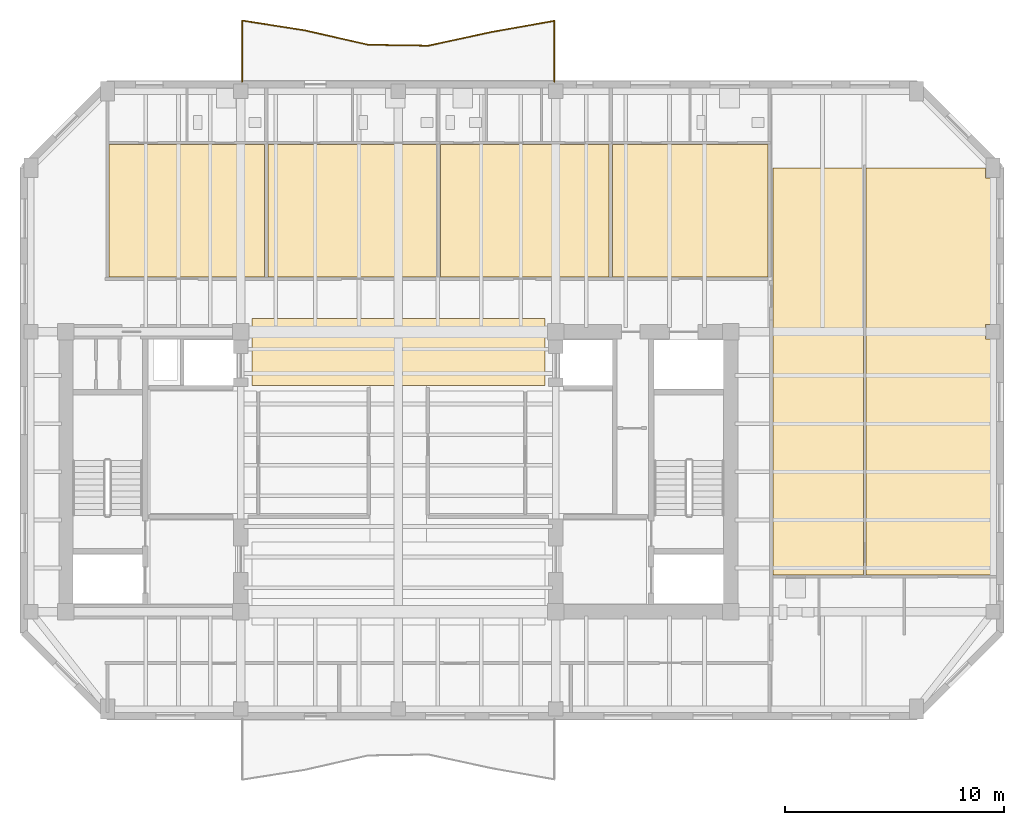
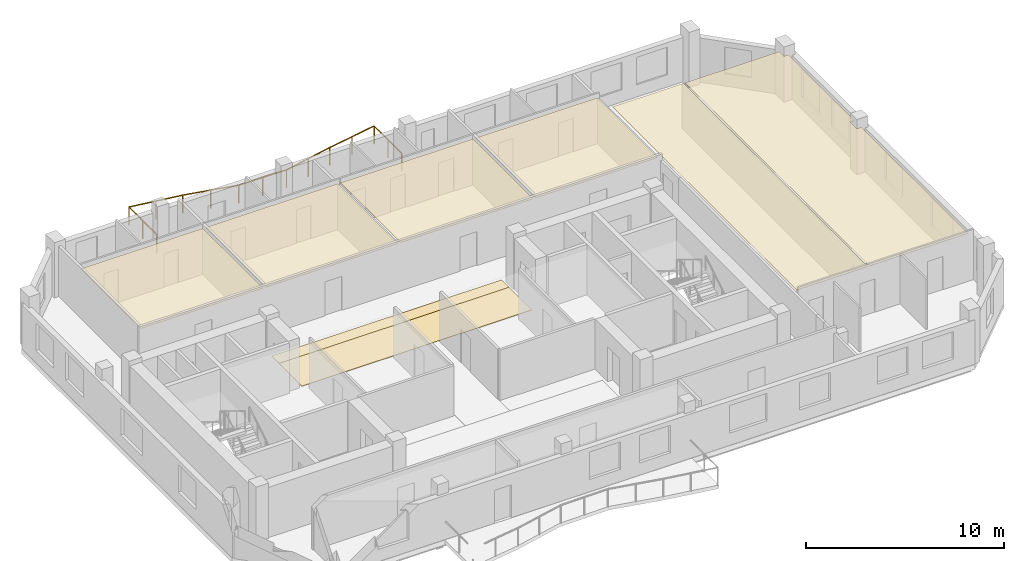
# One storey, part 8 of 9: 8 coverings, 1 railing.
"""IFC4 building model written with IfcOpenShell, lengths in metres."""

from ifc_helpers import new_model, si_unit, direction, frame, origin, origin_2d, place, context, subcontext, project, spatial, polyline, circle, outline, extrude, material, layer, layer_set, type_object, element, save


model = new_model("IFC4")

# Units and contexts
model_context = context("Model", 3, precision=1e-05, world=origin(), true_north=direction((0.0, 1.0)))
body_context = subcontext(model_context, "Body", "Model", "MODEL_VIEW")
ifc_project = project(units=[si_unit("LENGTHUNIT", "METRE"), si_unit("AREAUNIT", "SQUARE_METRE"), si_unit("VOLUMEUNIT", "CUBIC_METRE"), si_unit("PLANEANGLEUNIT", "RADIAN"), si_unit("MASSUNIT", "GRAM", prefix="KILO")], contexts=[model_context])

# Site, building, storey
site_placement = place(None, origin())
site = spatial("IfcSite", under=ifc_project, at=site_placement, CompositionType="ELEMENT")
building_placement = place(site_placement, origin())
building = spatial("IfcBuilding", under=site, at=building_placement, Name="Kranthara Brick Stack", CompositionType="ELEMENT")
storey_placement = place(building_placement, frame((0.0, 0.0, 258.5)))
storey = spatial("IfcBuildingStorey", under=building, at=storey_placement, Name="L68", CompositionType="ELEMENT", Elevation=258.5)

# Coverings
ifc_material_1 = material(Name="Perforated mineral-fibre acoustic ceiling tile", Category="other")
ifc_layer_1 = layer(ifc_material_1, 0.02490234375)
ifc_layer_set_1 = layer_set([ifc_layer_1], Name="Perforated mineral-fibre acoustic ceiling tile")
covering_type_1 = type_object("IfcCoveringType", Name="COV-CEIL-ACOUSTIC", PredefinedType="CEILING", material=ifc_layer_set_1)
covering_1_placement = place(storey_placement, frame((0.0, 0.0, 2.830078125)))
element("IfcCovering", 1, at=covering_1_placement, inside=storey, type_object=covering_type_1, Name="L68 Unit L68A Studio Apartment Living Acoustic Ceiling", PredefinedType="CEILING", context=body_context, shape_type="SweptSolid", body=[
    extrude(outline(polyline([(21.886962890625, 36.10009765625), (21.886962890625, 42.169921875), (14.780029296875, 42.169921875), (14.780029296875, 36.10009765625), (21.886962890625, 36.10009765625)])), origin(), (0.0, 0.0, 1.0), 0.02490234375),
])
covering_2_placement = place(storey_placement, frame((0.0, 0.0, 2.830078125)))
element("IfcCovering", 2, at=covering_2_placement, inside=storey, type_object=covering_type_1, Name="L68 Unit L68B Studio Apartment Living Acoustic Ceiling", PredefinedType="CEILING", context=body_context, shape_type="SweptSolid", body=[
    extrude(outline(polyline([(29.760009765625, 36.10009765625), (29.760009765625, 42.169921875), (22.047119140625, 42.169921875), (22.047119140625, 36.10009765625), (29.760009765625, 36.10009765625)])), origin(), (0.0, 0.0, 1.0), 0.02490234375),
])
covering_3_placement = place(storey_placement, frame((0.0, 0.0, 2.830078125)))
element("IfcCovering", 3, at=covering_3_placement, inside=storey, type_object=covering_type_1, Name="L68 Unit L68C 1-Bed Apartment Living Dining Acoustic Ceiling", PredefinedType="CEILING", context=body_context, shape_type="SweptSolid", body=[
    extrude(outline(polyline([(37.633056640625, 36.10009765625), (37.633056640625, 42.169921875), (29.919921875, 42.169921875), (29.919921875, 36.10009765625), (37.633056640625, 36.10009765625)])), origin(), (0.0, 0.0, 1.0), 0.02490234375),
])
covering_4_placement = place(storey_placement, frame((0.0, 0.0, 2.830078125)))
element("IfcCovering", 4, at=covering_4_placement, inside=storey, type_object=covering_type_1, Name="L68 Unit L68D Studio Apartment Living Acoustic Ceiling", PredefinedType="CEILING", context=body_context, shape_type="SweptSolid", body=[
    extrude(outline(polyline([(44.89990234375, 36.10009765625), (44.89990234375, 42.169921875), (37.79296875, 42.169921875), (37.79296875, 36.10009765625), (44.89990234375, 36.10009765625)])), origin(), (0.0, 0.0, 1.0), 0.02490234375),
])
covering_5_placement = place(storey_placement, frame((0.0, 0.0, 2.830078125)))
element("IfcCovering", 5, at=covering_5_placement, inside=storey, type_object=covering_type_1, Name="L68 Unit L68E 1-Bed Apartment Living Dining Acoustic Ceiling", PredefinedType="CEILING", context=body_context, shape_type="SweptSolid", body=[
    extrude(outline(polyline([(49.279052734375, 22.47998046875), (49.279052734375, 41.10009765625), (45.139892578125, 41.10009765625), (45.139892578125, 22.47998046875), (49.279052734375, 22.47998046875)])), origin(), (0.0, 0.0, 1.0), 0.02490234375),
])
covering_6_placement = place(storey_placement, frame((0.0, 0.0, 2.830078125)))
element("IfcCovering", 6, at=covering_6_placement, inside=storey, type_object=covering_type_1, Name="L68 Unit L68E Private Study Room Acoustic Ceiling", PredefinedType="CEILING", context=body_context, shape_type="SweptSolid", body=[
    extrude(outline(polyline([(49.37890625, 22.47998046875), (49.37890625, 41.10009765625), (54.864990234375, 41.10009765625), (54.864990234375, 40.639892578125), (55.1298828125, 40.639892578125), (55.1298828125, 33.93505859375), (54.864990234375, 33.93505859375), (54.864990234375, 33.264892578125), (55.1298828125, 33.264892578125), (55.1298828125, 22.47998046875), (49.37890625, 22.47998046875)])), origin(), (0.0, 0.0, 1.0), 0.02490234375),
])
ifc_material_2 = material(Name="Honed terrazzo and porcelain floor finish", Category="stone")
ifc_layer_2 = layer(ifc_material_2, 0.030029296875)
ifc_layer_set_2 = layer_set([ifc_layer_2], Name="Honed terrazzo and porcelain floor finish")
covering_type_2 = type_object("IfcCoveringType", Name="COV-FLOR-STONE", PredefinedType="FLOORING", material=ifc_layer_set_2)
covering_7_placement = place(storey_placement, origin())
element("IfcCovering", 7, at=covering_7_placement, inside=storey, type_object=covering_type_2, Name="L68 Lift Lobby Stone Flooring", PredefinedType="FLOORING", context=body_context, shape_type="SweptSolid", body=[
    extrude(outline(polyline([(34.699951171875, 31.14990234375), (34.699951171875, 33.449951171875), (21.300048828125, 33.449951171875), (21.300048828125, 31.14990234375), (34.699951171875, 31.14990234375)])), origin(), (0.0, 0.0, 1.0), 0.030029296875),
])
covering_8_placement = place(storey_placement, origin())
element("IfcCovering", 8, at=covering_8_placement, inside=storey, type_object=covering_type_2, Name="L68 Lift Lobby Stone Flooring", PredefinedType="FLOORING", context=body_context, shape_type="SweptSolid", body=[
    extrude(outline(polyline([(34.699951171875, 33.449951171875), (21.300048828125, 33.449951171875), (21.300048828125, 34.199951171875), (34.699951171875, 34.199951171875), (34.699951171875, 33.449951171875)])), origin(), (0.0, 0.0, 1.0), 0.030029296875),
])

# Railing
ifc_material_3 = material(Name="Bronze anodised aluminium and laminated glass balustrade", Category="aluminium")
railing_type = type_object("IfcRailingType", Name="RL-BALC-1120", PredefinedType="BALUSTRADE", material=ifc_material_3)
railing_placement = place(storey_placement, frame((20.860107421875, 45.0400390625, 0.0)))
element("IfcRailing", 9, at=railing_placement, inside=storey, type_object=railing_type, Name="L68 North Rippling Balcony Balustrade", PredefinedType="BALUSTRADE", context=body_context, shape_type="SweptSolid", body=[
    extrude(circle(Radius=0.02392578125, at=origin_2d()), frame((0.0, 0.0, 1.09619140625), z_axis=(-0.000261802941, 0.99999996573, 0.0), x_axis=(-0.99999996573, -0.000261802941, 0.0)), (0.0, 0.0, 1.0), 2.797607421875),
    extrude(circle(Radius=0.02392578125, at=origin_2d()), frame((-0.000732421875, 2.797607421875, 1.09619140625), z_axis=(0.987936867674, -0.154857177715, 0.0), x_axis=(0.154857177715, 0.987936867674, 0.0)), (0.0, 0.0, 1.0), 2.9150390625),
    extrude(circle(Radius=0.02392578125, at=origin_2d()), frame((2.879150390625, 2.34619140625, 1.09619140625), z_axis=(0.975076003023, -0.221871107468, 0.0), x_axis=(0.221871107468, 0.975076003023, 0.0)), (0.0, 0.0, 1.0), 2.95458984375),
    extrude(circle(Radius=0.02392578125, at=origin_2d()), frame((5.760009765625, 1.690673828125, 1.09619140625), z_axis=(0.999890908543, -0.014770613156, 0.0), x_axis=(0.014770613156, 0.999890908543, 0.0)), (0.0, 0.0, 1.0), 2.76025390625),
    extrude(circle(Radius=0.02392578125, at=origin_2d()), frame((8.52001953125, 1.64990234375, 1.09619140625), z_axis=(0.977378540173, 0.211497492207, 0.0), x_axis=(-0.211497492207, 0.977378540173, 0.0)), (0.0, 0.0, 1.0), 2.947021484375),
    extrude(circle(Radius=0.02392578125, at=origin_2d()), frame((11.400390625, 2.273193359375, 1.09619140625), z_axis=(0.984566023333, 0.175013558611, 0.0), x_axis=(-0.175013558611, 0.984566023333, 0.0)), (0.0, 0.0, 1.0), 2.92529296875),
    extrude(circle(Radius=0.02392578125, at=origin_2d()), frame((14.280517578125, 2.78515625, 1.09619140625), z_axis=(-0.000262973343, -0.999999965423, 0.0), x_axis=(0.999999965423, -0.000262973343, 0.0)), (0.0, 0.0, 1.0), 2.78515625),
    extrude(circle(Radius=0.02099609375, at=origin_2d()), origin(), (0.0, 0.0, 1.0), 1.072021484375),
    extrude(circle(Radius=0.02099609375, at=origin_2d()), frame((-0.00048828125, 1.39892578125, 0.0)), (0.0, 0.0, 1.0), 1.072021484375),
    extrude(circle(Radius=0.02099609375, at=origin_2d()), frame((-0.000732421875, 2.797607421875, 0.0)), (0.0, 0.0, 1.0), 1.072021484375),
    extrude(circle(Radius=0.02099609375, at=origin_2d()), frame((1.439208984375, 2.57177734375, 0.0)), (0.0, 0.0, 1.0), 1.072021484375),
    extrude(circle(Radius=0.02099609375, at=origin_2d()), frame((2.879150390625, 2.34619140625, 0.0)), (0.0, 0.0, 1.0), 1.072021484375),
    extrude(circle(Radius=0.02099609375, at=origin_2d()), frame((4.319580078125, 2.0185546875, 0.0)), (0.0, 0.0, 1.0), 1.072021484375),
    extrude(circle(Radius=0.02099609375, at=origin_2d()), frame((5.760009765625, 1.690673828125, 0.0)), (0.0, 0.0, 1.0), 1.072021484375),
    extrude(circle(Radius=0.02099609375, at=origin_2d()), frame((7.14013671875, 1.67041015625, 0.0)), (0.0, 0.0, 1.0), 1.072021484375),
    extrude(circle(Radius=0.02099609375, at=origin_2d()), frame((8.52001953125, 1.64990234375, 0.0)), (0.0, 0.0, 1.0), 1.072021484375),
    extrude(circle(Radius=0.02099609375, at=origin_2d()), frame((9.960205078125, 1.96142578125, 0.0)), (0.0, 0.0, 1.0), 1.072021484375),
    extrude(circle(Radius=0.02099609375, at=origin_2d()), frame((11.400390625, 2.273193359375, 0.0)), (0.0, 0.0, 1.0), 1.072021484375),
    extrude(circle(Radius=0.02099609375, at=origin_2d()), frame((12.84033203125, 2.529296875, 0.0)), (0.0, 0.0, 1.0), 1.072021484375),
    extrude(circle(Radius=0.02099609375, at=origin_2d()), frame((14.280517578125, 2.78515625, 0.0)), (0.0, 0.0, 1.0), 1.072021484375),
    extrude(circle(Radius=0.02099609375, at=origin_2d()), frame((14.2802734375, 1.392578125, 0.0)), (0.0, 0.0, 1.0), 1.072021484375),
    extrude(circle(Radius=0.02099609375, at=origin_2d()), frame((14.27978515625, 0.0, 0.0)), (0.0, 0.0, 1.0), 1.072021484375),
])

save(model, "model.ifc")
